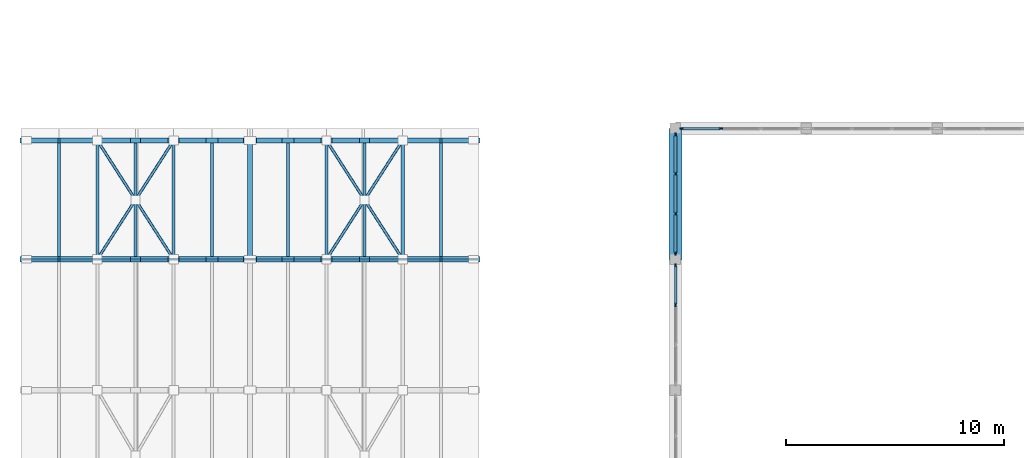
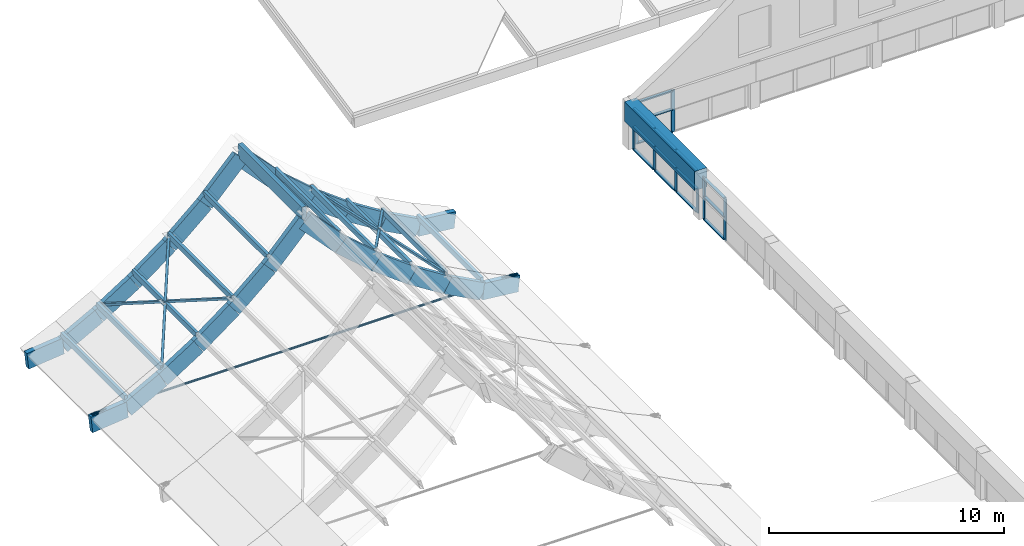
# One storey, part 17 of 45: 64 members, 2 beams, 3 elements without a shape of their own.
"""IFC4 building model written with IfcOpenShell, lengths in metres."""

from ifc_helpers import new_model, si_unit, direction, frame, origin, origin_2d, place, context, subcontext, project, spatial, rectangle, hollow_rectangle, hollow_circle, extrude, material, layer, layer_set, material_profile, profile_set, type_object, element, aggregate, save


model = new_model("IFC4")

# Units and contexts
model_context = context("Model", 3, precision=1e-05, world=origin(), true_north=direction((0.0, 1.0)))
body_context = subcontext(model_context, "Body", "Model", "MODEL_VIEW")
ifc_project = project(units=[si_unit("LENGTHUNIT", "METRE"), si_unit("AREAUNIT", "SQUARE_METRE"), si_unit("VOLUMEUNIT", "CUBIC_METRE"), si_unit("PLANEANGLEUNIT", "RADIAN"), si_unit("MASSUNIT", "GRAM", prefix="KILO")], contexts=[model_context])

# Site, building, storey
site_placement = place(None, origin())
site = spatial("IfcSite", under=ifc_project, at=site_placement, CompositionType="ELEMENT")
building_placement = place(site_placement, origin())
building = spatial("IfcBuilding", under=site, at=building_placement, Name="Solvane Community Centre", CompositionType="ELEMENT")
storey_placement = place(building_placement, frame((0.0, 0.0, 13.800048828125)))
storey = spatial("IfcBuildingStorey", under=building, at=storey_placement, Name="L03", CompositionType="ELEMENT", Elevation=13.800048828125)

# Beam
ifc_material_1 = material(Name="Glulam GL32h", Category="wood")
ifc_material_profile_1 = material_profile(ifc_material_1, rectangle(XDim=0.219970703125, YDim=0.679931640625, at=origin_2d()), Name="GL32h 220x680")
ifc_profile_set_1 = profile_set([ifc_material_profile_1], Name="Glulam GL32h")
beam_type_1 = type_object("IfcBeamType", Name="Glulam Sports Vault Ridge 220x680", PredefinedType="USERDEFINED", material=ifc_profile_set_1)
beam_1_placement = place(storey_placement, frame((16.5, 72.0, 6.96044921875), z_axis=(0.0, 1.0, 0.0), x_axis=(-1.0, 0.0, 0.0)))
element("IfcBeam", 1, at=beam_1_placement, inside=storey, type_object=beam_type_1, Name="Beam BM-L03-165_720-165_774", ObjectType="GIRDER", PredefinedType="USERDEFINED", context=body_context, shape_type="SweptSolid", body=[
    extrude(rectangle(XDim=0.219970703125, YDim=0.679931640625, at=origin_2d()), origin(), (0.0, 0.0, 1.0), 5.449951171875),
])

# Curtain wall, members
ifc_material_2 = material(Name="Anodised bronze aluminium AW-6063 T6", Category="aluminium")
ifc_layer = layer(ifc_material_2, 0.179931640625)
ifc_layer_set = layer_set([ifc_layer], Name="Anodised bronze aluminium AW-6063 T6")
curtain_wall_type = type_object("IfcCurtainWallType", Name="Hall Translucent Upper Curtain Wall [55x22dm]", PredefinedType="NOTDEFINED", material=ifc_layer_set)
curtain_wall_1_placement = place(storey_placement, origin())
curtain_wall_1 = element("IfcCurtainWall", 2, at=curtain_wall_1_placement, inside=storey, type_object=curtain_wall_type, Name="Curtain Wall CW-L03-360_777-129", PredefinedType="NOTDEFINED")
ifc_material_profile_2 = material_profile(ifc_material_2, rectangle(XDim=0.06005859375, YDim=0.179931640625, at=origin_2d()), Name="CW-M 60x180")
ifc_profile_set_2 = profile_set([ifc_material_profile_2], Name="Anodised bronze aluminium AW-6063 T6")
member_type_1 = type_object("IfcMemberType", Name="Hall Mullion 60x180", PredefinedType="MULLION", material=ifc_profile_set_2)
member_1_placement = place(storey_placement, frame((36.0, 77.715087890625, 0.0), z_axis=(0.0, 0.0, 1.0), x_axis=(1.0, 0.0, 0.0)))
member_1 = element("IfcMember", 3, at=member_1_placement, type_object=member_type_1, Name="CW01-55x22 mullion 1", PredefinedType="MULLION", context=body_context, shape_type="SweptSolid", body=[
    extrude(rectangle(XDim=0.06005859375, YDim=0.179931640625, at=origin_2d()), origin(), (0.0, 0.0, 1.0), 2.179931640625),
])
member_2_placement = place(storey_placement, frame((36.0, 75.9150390625, 0.0), z_axis=(0.0, 0.0, 1.0), x_axis=(1.0, 0.0, 0.0)))
member_2 = element("IfcMember", 4, at=member_2_placement, type_object=member_type_1, Name="CW01-55x22 mullion 2", PredefinedType="MULLION", context=body_context, shape_type="SweptSolid", body=[
    extrude(rectangle(XDim=0.06005859375, YDim=0.179931640625, at=origin_2d()), origin(), (0.0, 0.0, 1.0), 2.179931640625),
])
member_3_placement = place(storey_placement, frame((36.0, 74.0849609375, 0.0), z_axis=(0.0, 0.0, 1.0), x_axis=(1.0, 0.0, 0.0)))
member_3 = element("IfcMember", 5, at=member_3_placement, type_object=member_type_1, Name="CW01-55x22 mullion 3", PredefinedType="MULLION", context=body_context, shape_type="SweptSolid", body=[
    extrude(rectangle(XDim=0.06005859375, YDim=0.179931640625, at=origin_2d()), origin(), (0.0, 0.0, 1.0), 2.179931640625),
])
member_4_placement = place(storey_placement, frame((36.0, 72.284912109375, 0.0), z_axis=(0.0, 0.0, 1.0), x_axis=(1.0, 0.0, 0.0)))
member_4 = element("IfcMember", 6, at=member_4_placement, type_object=member_type_1, Name="CW01-55x22 mullion 4", PredefinedType="MULLION", context=body_context, shape_type="SweptSolid", body=[
    extrude(rectangle(XDim=0.06005859375, YDim=0.179931640625, at=origin_2d()), origin(), (0.0, 0.0, 1.0), 2.179931640625),
])

curtain_wall_2_placement = place(storey_placement, origin())
curtain_wall_2 = element("IfcCurtainWall", 7, at=curtain_wall_2_placement, inside=storey, type_object=curtain_wall_type, Name="Curtain Wall CW-L03-360_717-130", PredefinedType="NOTDEFINED")
member_5_placement = place(storey_placement, frame((36.0, 71.715087890625, 0.0), z_axis=(0.0, 0.0, 1.0), x_axis=(1.0, 0.0, 0.0)))
member_5 = element("IfcMember", 8, at=member_5_placement, type_object=member_type_1, Name="CW01-55x22 mullion 1", PredefinedType="MULLION", context=body_context, shape_type="SweptSolid", body=[
    extrude(rectangle(XDim=0.06005859375, YDim=0.179931640625, at=origin_2d()), origin(), (0.0, 0.0, 1.0), 2.179931640625),
])
member_6_placement = place(storey_placement, frame((36.0, 69.9150390625, 0.0), z_axis=(0.0, 0.0, 1.0), x_axis=(1.0, 0.0, 0.0)))
member_6 = element("IfcMember", 9, at=member_6_placement, type_object=member_type_1, Name="CW01-55x22 mullion 2", PredefinedType="MULLION", context=body_context, shape_type="SweptSolid", body=[
    extrude(rectangle(XDim=0.06005859375, YDim=0.179931640625, at=origin_2d()), origin(), (0.0, 0.0, 1.0), 2.179931640625),
])

curtain_wall_3_placement = place(storey_placement, origin())
curtain_wall_3 = element("IfcCurtainWall", 10, at=curtain_wall_3_placement, inside=storey, type_object=curtain_wall_type, Name="Curtain Wall CW-L03-363_780-162", PredefinedType="NOTDEFINED")
member_7_placement = place(storey_placement, frame((36.284912109375, 78.0, 0.0), z_axis=(0.0, 0.0, 1.0), x_axis=(0.0, 1.0, 0.0)))
member_7 = element("IfcMember", 11, at=member_7_placement, type_object=member_type_1, Name="CW01-55x22 mullion 1", PredefinedType="MULLION", context=body_context, shape_type="SweptSolid", body=[
    extrude(rectangle(XDim=0.06005859375, YDim=0.179931640625, at=origin_2d()), origin(), (0.0, 0.0, 1.0), 2.179931640625),
])
member_8_placement = place(storey_placement, frame((38.0849609375, 78.0, 0.0), z_axis=(0.0, 0.0, 1.0), x_axis=(0.0, 1.0, 0.0)))
member_8 = element("IfcMember", 12, at=member_8_placement, type_object=member_type_1, Name="CW01-55x22 mullion 2", PredefinedType="MULLION", context=body_context, shape_type="SweptSolid", body=[
    extrude(rectangle(XDim=0.06005859375, YDim=0.179931640625, at=origin_2d()), origin(), (0.0, 0.0, 1.0), 2.179931640625),
])

# Member
ifc_material_profile_3 = material_profile(ifc_material_2, rectangle(XDim=0.139892578125, YDim=0.06005859375, at=origin_2d()), Name="CW-T 60x140")
ifc_profile_set_3 = profile_set([ifc_material_profile_3], Name="Anodised bronze aluminium AW-6063 T6")
member_type_2 = type_object("IfcMemberType", Name="Hall Transom 60x140", PredefinedType="USERDEFINED", material=ifc_profile_set_3)
member_9_placement = place(storey_placement, frame((36.0, 77.68505859375, 0.030029296875), z_axis=(0.0, -1.0, 0.0), x_axis=(1.0, 0.0, 0.0)))
member_9 = element("IfcMember", 13, at=member_9_placement, type_object=member_type_2, Name="CW01-55x22 transom 1.1", ObjectType="TRANSOM", PredefinedType="USERDEFINED", context=body_context, shape_type="SweptSolid", body=[
    extrude(rectangle(XDim=0.139892578125, YDim=0.06005859375, at=origin_2d()), origin(), (0.0, 0.0, 1.0), 1.739990234375),
])

member_10_placement = place(storey_placement, frame((36.0, 77.68505859375, 1.198974609375), z_axis=(0.0, -1.0, 0.0), x_axis=(1.0, 0.0, 0.0)))
member_10 = element("IfcMember", 14, at=member_10_placement, type_object=member_type_2, Name="CW01-55x22 transom 1.2", ObjectType="TRANSOM", PredefinedType="USERDEFINED", context=body_context, shape_type="SweptSolid", body=[
    extrude(rectangle(XDim=0.139892578125, YDim=0.06005859375, at=origin_2d()), origin(), (0.0, 0.0, 1.0), 1.739990234375),
])

member_11_placement = place(storey_placement, frame((36.0, 77.68505859375, 2.14990234375), z_axis=(0.0, -1.0, 0.0), x_axis=(1.0, 0.0, 0.0)))
member_11 = element("IfcMember", 15, at=member_11_placement, type_object=member_type_2, Name="CW01-55x22 transom 1.3", ObjectType="TRANSOM", PredefinedType="USERDEFINED", context=body_context, shape_type="SweptSolid", body=[
    extrude(rectangle(XDim=0.139892578125, YDim=0.06005859375, at=origin_2d()), origin(), (0.0, 0.0, 1.0), 1.739990234375),
])

member_12_placement = place(storey_placement, frame((36.0, 75.885009765625, 0.030029296875), z_axis=(0.0, -1.0, 0.0), x_axis=(1.0, 0.0, 0.0)))
member_12 = element("IfcMember", 16, at=member_12_placement, type_object=member_type_2, Name="CW01-55x22 transom 2.1", ObjectType="TRANSOM", PredefinedType="USERDEFINED", context=body_context, shape_type="SweptSolid", body=[
    extrude(rectangle(XDim=0.139892578125, YDim=0.06005859375, at=origin_2d()), origin(), (0.0, 0.0, 1.0), 1.77001953125),
])

member_13_placement = place(storey_placement, frame((36.0, 75.885009765625, 1.198974609375), z_axis=(0.0, -1.0, 0.0), x_axis=(1.0, 0.0, 0.0)))
member_13 = element("IfcMember", 17, at=member_13_placement, type_object=member_type_2, Name="CW01-55x22 transom 2.2", ObjectType="TRANSOM", PredefinedType="USERDEFINED", context=body_context, shape_type="SweptSolid", body=[
    extrude(rectangle(XDim=0.139892578125, YDim=0.06005859375, at=origin_2d()), origin(), (0.0, 0.0, 1.0), 1.77001953125),
])

member_14_placement = place(storey_placement, frame((36.0, 75.885009765625, 2.14990234375), z_axis=(0.0, -1.0, 0.0), x_axis=(1.0, 0.0, 0.0)))
member_14 = element("IfcMember", 18, at=member_14_placement, type_object=member_type_2, Name="CW01-55x22 transom 2.3", ObjectType="TRANSOM", PredefinedType="USERDEFINED", context=body_context, shape_type="SweptSolid", body=[
    extrude(rectangle(XDim=0.139892578125, YDim=0.06005859375, at=origin_2d()), origin(), (0.0, 0.0, 1.0), 1.77001953125),
])

member_15_placement = place(storey_placement, frame((36.0, 74.054931640625, 0.030029296875), z_axis=(0.0, -1.0, 0.0), x_axis=(1.0, 0.0, 0.0)))
member_15 = element("IfcMember", 19, at=member_15_placement, type_object=member_type_2, Name="CW01-55x22 transom 3.1", ObjectType="TRANSOM", PredefinedType="USERDEFINED", context=body_context, shape_type="SweptSolid", body=[
    extrude(rectangle(XDim=0.139892578125, YDim=0.06005859375, at=origin_2d()), origin(), (0.0, 0.0, 1.0), 1.739990234375),
])

member_16_placement = place(storey_placement, frame((36.0, 74.054931640625, 1.198974609375), z_axis=(0.0, -1.0, 0.0), x_axis=(1.0, 0.0, 0.0)))
member_16 = element("IfcMember", 20, at=member_16_placement, type_object=member_type_2, Name="CW01-55x22 transom 3.2", ObjectType="TRANSOM", PredefinedType="USERDEFINED", context=body_context, shape_type="SweptSolid", body=[
    extrude(rectangle(XDim=0.139892578125, YDim=0.06005859375, at=origin_2d()), origin(), (0.0, 0.0, 1.0), 1.739990234375),
])

member_17_placement = place(storey_placement, frame((36.0, 74.054931640625, 2.14990234375), z_axis=(0.0, -1.0, 0.0), x_axis=(1.0, 0.0, 0.0)))
member_17 = element("IfcMember", 21, at=member_17_placement, type_object=member_type_2, Name="CW01-55x22 transom 3.3", ObjectType="TRANSOM", PredefinedType="USERDEFINED", context=body_context, shape_type="SweptSolid", body=[
    extrude(rectangle(XDim=0.139892578125, YDim=0.06005859375, at=origin_2d()), origin(), (0.0, 0.0, 1.0), 1.739990234375),
])

aggregate(curtain_wall_1, [member_1, member_2, member_3, member_4, member_9, member_10, member_11, member_12, member_13, member_14, member_15, member_16, member_17])

member_18_placement = place(storey_placement, frame((36.0, 71.68505859375, 0.030029296875), z_axis=(0.0, -1.0, 0.0), x_axis=(1.0, 0.0, 0.0)))
member_18 = element("IfcMember", 22, at=member_18_placement, type_object=member_type_2, Name="CW01-55x22 transom 1.1", ObjectType="TRANSOM", PredefinedType="USERDEFINED", context=body_context, shape_type="SweptSolid", body=[
    extrude(rectangle(XDim=0.139892578125, YDim=0.06005859375, at=origin_2d()), origin(), (0.0, 0.0, 1.0), 1.739990234375),
])

member_19_placement = place(storey_placement, frame((36.0, 71.68505859375, 1.198974609375), z_axis=(0.0, -1.0, 0.0), x_axis=(1.0, 0.0, 0.0)))
member_19 = element("IfcMember", 23, at=member_19_placement, type_object=member_type_2, Name="CW01-55x22 transom 1.2", ObjectType="TRANSOM", PredefinedType="USERDEFINED", context=body_context, shape_type="SweptSolid", body=[
    extrude(rectangle(XDim=0.139892578125, YDim=0.06005859375, at=origin_2d()), origin(), (0.0, 0.0, 1.0), 1.739990234375),
])

member_20_placement = place(storey_placement, frame((36.0, 71.68505859375, 2.14990234375), z_axis=(0.0, -1.0, 0.0), x_axis=(1.0, 0.0, 0.0)))
member_20 = element("IfcMember", 24, at=member_20_placement, type_object=member_type_2, Name="CW01-55x22 transom 1.3", ObjectType="TRANSOM", PredefinedType="USERDEFINED", context=body_context, shape_type="SweptSolid", body=[
    extrude(rectangle(XDim=0.139892578125, YDim=0.06005859375, at=origin_2d()), origin(), (0.0, 0.0, 1.0), 1.739990234375),
])

aggregate(curtain_wall_2, [member_5, member_6, member_18, member_19, member_20])

member_21_placement = place(storey_placement, frame((36.31494140625, 78.0, 0.030029296875), z_axis=(1.0, 0.0, 0.0), x_axis=(0.0, 1.0, 0.0)))
member_21 = element("IfcMember", 25, at=member_21_placement, type_object=member_type_2, Name="CW01-55x22 transom 1.1", ObjectType="TRANSOM", PredefinedType="USERDEFINED", context=body_context, shape_type="SweptSolid", body=[
    extrude(rectangle(XDim=0.139892578125, YDim=0.06005859375, at=origin_2d()), origin(), (0.0, 0.0, 1.0), 1.739990234375),
])

member_22_placement = place(storey_placement, frame((36.31494140625, 78.0, 1.198974609375), z_axis=(1.0, 0.0, 0.0), x_axis=(0.0, 1.0, 0.0)))
member_22 = element("IfcMember", 26, at=member_22_placement, type_object=member_type_2, Name="CW01-55x22 transom 1.2", ObjectType="TRANSOM", PredefinedType="USERDEFINED", context=body_context, shape_type="SweptSolid", body=[
    extrude(rectangle(XDim=0.139892578125, YDim=0.06005859375, at=origin_2d()), origin(), (0.0, 0.0, 1.0), 1.739990234375),
])

member_23_placement = place(storey_placement, frame((36.31494140625, 78.0, 2.14990234375), z_axis=(1.0, 0.0, 0.0), x_axis=(0.0, 1.0, 0.0)))
member_23 = element("IfcMember", 27, at=member_23_placement, type_object=member_type_2, Name="CW01-55x22 transom 1.3", ObjectType="TRANSOM", PredefinedType="USERDEFINED", context=body_context, shape_type="SweptSolid", body=[
    extrude(rectangle(XDim=0.139892578125, YDim=0.06005859375, at=origin_2d()), origin(), (0.0, 0.0, 1.0), 1.739990234375),
])

aggregate(curtain_wall_3, [member_7, member_8, member_21, member_22, member_23])

# Beam
ifc_material_3 = material(Name="Concrete C35/45", Category="concrete")
ifc_material_profile_4 = material_profile(ifc_material_3, rectangle(XDim=0.60009765625, YDim=1.0, at=origin_2d()), Name="RC 600x1000")
ifc_profile_set_4 = profile_set([ifc_material_profile_4], Name="Concrete C35/45")
beam_type_2 = type_object("IfcBeamType", Name="RC Vault Thrust Ring Girder 600x1000", PredefinedType="USERDEFINED", material=ifc_profile_set_4)
beam_2_placement = place(storey_placement, frame((36.0, 72.0, 1.89990234375), z_axis=(0.0, 1.0, 0.0), x_axis=(-1.0, 0.0, 0.0)))
element("IfcBeam", 28, at=beam_2_placement, inside=storey, type_object=beam_type_2, Name="Beam BM-L03-360_720-360_780", ObjectType="GIRDER", PredefinedType="USERDEFINED", context=body_context, shape_type="SweptSolid", body=[
    extrude(rectangle(XDim=0.60009765625, YDim=1.0, at=origin_2d()), origin(), (0.0, 0.0, 1.0), 6.0),
])

# Members
ifc_material_profile_5 = material_profile(ifc_material_1, rectangle(XDim=0.239990234375, YDim=0.840087890625, at=origin_2d()), Name="GL32h 240x840")
ifc_profile_set_5 = profile_set([ifc_material_profile_5], Name="Glulam GL32h")
member_type_3 = type_object("IfcMemberType", Name="Sports Hall Concave Vault Arch Rib 240x840", PredefinedType="USERDEFINED", material=ifc_profile_set_5)
member_24_placement = place(storey_placement, frame((6.0, 72.0, -0.300048828125), z_axis=(0.994382391081, 0.0, 0.105847344363), x_axis=(0.0, 1.0, 0.0)))
element("IfcMember", 29, at=member_24_placement, inside=storey, type_object=member_type_3, Name="Member MEM-L03-0279", ObjectType="ARCH_SEGMENT", PredefinedType="USERDEFINED", context=body_context, shape_type="SweptSolid", body=[
    extrude(rectangle(XDim=0.239990234375, YDim=0.840087890625, at=origin_2d()), origin(), (0.0, 0.0, 1.0), 1.759765625),
])
member_25_placement = place(storey_placement, frame((7.75, 72.0, -0.11376953125), z_axis=(0.881019095166, 0.0, 0.473080705538), x_axis=(0.0, 1.0, 0.0)))
element("IfcMember", 30, at=member_25_placement, inside=storey, type_object=member_type_3, Name="Member MEM-L03-0280", ObjectType="ARCH_SEGMENT", PredefinedType="USERDEFINED", context=body_context, shape_type="SweptSolid", body=[
    extrude(rectangle(XDim=0.239990234375, YDim=0.840087890625, at=origin_2d()), origin(), (0.0, 0.0, 1.0), 1.986328125),
])
member_26_placement = place(storey_placement, frame((9.5, 72.0, 0.825927734375), z_axis=(0.844804868762, 0.0, 0.535074512302), x_axis=(0.0, 1.0, 0.0)))
element("IfcMember", 31, at=member_26_placement, inside=storey, type_object=member_type_3, Name="Member MEM-L03-0281", ObjectType="ARCH_SEGMENT", PredefinedType="USERDEFINED", context=body_context, shape_type="SweptSolid", body=[
    extrude(rectangle(XDim=0.239990234375, YDim=0.840087890625, at=origin_2d()), origin(), (0.0, 0.0, 1.0), 2.071533203125),
])
member_27_placement = place(storey_placement, frame((11.25, 72.0, 1.934326171875), z_axis=(0.802143469144, 0.0, 0.59713135482), x_axis=(0.0, 1.0, 0.0)))
element("IfcMember", 32, at=member_27_placement, inside=storey, type_object=member_type_3, Name="Member MEM-L03-0282", ObjectType="ARCH_SEGMENT", PredefinedType="USERDEFINED", context=body_context, shape_type="SweptSolid", body=[
    extrude(rectangle(XDim=0.239990234375, YDim=0.840087890625, at=origin_2d()), origin(), (0.0, 0.0, 1.0), 2.181640625),
])
member_28_placement = place(storey_placement, frame((13.0, 72.0, 3.237060546875), z_axis=(0.752160526531, 0.0, 0.658979925588), x_axis=(0.0, 1.0, 0.0)))
element("IfcMember", 33, at=member_28_placement, inside=storey, type_object=member_type_3, Name="Member MEM-L03-0283", ObjectType="ARCH_SEGMENT", PredefinedType="USERDEFINED", context=body_context, shape_type="SweptSolid", body=[
    extrude(rectangle(XDim=0.239990234375, YDim=0.840087890625, at=origin_2d()), origin(), (0.0, 0.0, 1.0), 2.32666015625),
])
for number, where, z_axis, x_axis, name in (
    (34, (14.75, 72.0, 4.770263671875), (0.68617646553, 0.0, 0.727435122986), (0.0, 1.0, 0.0), "Member MEM-L03-0284"),
    (35, (16.5, 72.0, 6.62548828125), (0.68617646553, 0.0, -0.727435122986), (0.0, 1.0, 0.0), "Member MEM-L03-0285"),
):
    element("IfcMember", number, at=place(storey_placement, frame(where, z_axis=z_axis, x_axis=x_axis)), inside=storey, type_object=member_type_3, Name=name, ObjectType="ARCH_SEGMENT", PredefinedType="USERDEFINED", context=body_context, shape_type="SweptSolid", body=[
        extrude(rectangle(XDim=0.239990234375, YDim=0.840087890625, at=origin_2d()), origin(), (0.0, 0.0, 1.0), 2.55029296875),
    ])
member_29_placement = place(storey_placement, frame((18.25, 72.0, 4.770263671875), z_axis=(0.752160526531, 0.0, -0.658979925588), x_axis=(0.0, 1.0, 0.0)))
element("IfcMember", 36, at=member_29_placement, inside=storey, type_object=member_type_3, Name="Member MEM-L03-0286", ObjectType="ARCH_SEGMENT", PredefinedType="USERDEFINED", context=body_context, shape_type="SweptSolid", body=[
    extrude(rectangle(XDim=0.239990234375, YDim=0.840087890625, at=origin_2d()), origin(), (0.0, 0.0, 1.0), 2.32666015625),
])
member_30_placement = place(storey_placement, frame((20.0, 72.0, 3.237060546875), z_axis=(0.802143469144, 0.0, -0.59713135482), x_axis=(0.0, 1.0, 0.0)))
element("IfcMember", 37, at=member_30_placement, inside=storey, type_object=member_type_3, Name="Member MEM-L03-0287", ObjectType="ARCH_SEGMENT", PredefinedType="USERDEFINED", context=body_context, shape_type="SweptSolid", body=[
    extrude(rectangle(XDim=0.239990234375, YDim=0.840087890625, at=origin_2d()), origin(), (0.0, 0.0, 1.0), 2.181640625),
])
member_31_placement = place(storey_placement, frame((21.75, 72.0, 1.934326171875), z_axis=(0.844804868762, 0.0, -0.535074512302), x_axis=(0.0, 1.0, 0.0)))
element("IfcMember", 38, at=member_31_placement, inside=storey, type_object=member_type_3, Name="Member MEM-L03-0288", ObjectType="ARCH_SEGMENT", PredefinedType="USERDEFINED", context=body_context, shape_type="SweptSolid", body=[
    extrude(rectangle(XDim=0.239990234375, YDim=0.840087890625, at=origin_2d()), origin(), (0.0, 0.0, 1.0), 2.071533203125),
])
member_32_placement = place(storey_placement, frame((23.5, 72.0, 0.825927734375), z_axis=(0.881019095166, 0.0, -0.473080705538), x_axis=(0.0, 1.0, 0.0)))
element("IfcMember", 39, at=member_32_placement, inside=storey, type_object=member_type_3, Name="Member MEM-L03-0289", ObjectType="ARCH_SEGMENT", PredefinedType="USERDEFINED", context=body_context, shape_type="SweptSolid", body=[
    extrude(rectangle(XDim=0.239990234375, YDim=0.840087890625, at=origin_2d()), origin(), (0.0, 0.0, 1.0), 1.986328125),
])
for number, where, z_axis, x_axis, name in (
    (40, (25.25, 72.0, -0.11376953125), (0.994382391081, 0.0, -0.105847344363), (0.0, 1.0, 0.0), "Member MEM-L03-0290"),
    (41, (6.0, 77.449951171875, -0.300048828125), (0.994382391081, 0.0, 0.105847344363), (0.0, 1.0, 0.0), "Member MEM-L03-0292"),
):
    element("IfcMember", number, at=place(storey_placement, frame(where, z_axis=z_axis, x_axis=x_axis)), inside=storey, type_object=member_type_3, Name=name, ObjectType="ARCH_SEGMENT", PredefinedType="USERDEFINED", context=body_context, shape_type="SweptSolid", body=[
        extrude(rectangle(XDim=0.239990234375, YDim=0.840087890625, at=origin_2d()), origin(), (0.0, 0.0, 1.0), 1.759765625),
    ])
member_33_placement = place(storey_placement, frame((7.75, 77.449951171875, -0.11376953125), z_axis=(0.881019095166, 0.0, 0.473080705538), x_axis=(0.0, 1.0, 0.0)))
element("IfcMember", 42, at=member_33_placement, inside=storey, type_object=member_type_3, Name="Member MEM-L03-0293", ObjectType="ARCH_SEGMENT", PredefinedType="USERDEFINED", context=body_context, shape_type="SweptSolid", body=[
    extrude(rectangle(XDim=0.239990234375, YDim=0.840087890625, at=origin_2d()), origin(), (0.0, 0.0, 1.0), 1.986328125),
])
member_34_placement = place(storey_placement, frame((9.5, 77.449951171875, 0.825927734375), z_axis=(0.844804868762, 0.0, 0.535074512302), x_axis=(0.0, 1.0, 0.0)))
element("IfcMember", 43, at=member_34_placement, inside=storey, type_object=member_type_3, Name="Member MEM-L03-0294", ObjectType="ARCH_SEGMENT", PredefinedType="USERDEFINED", context=body_context, shape_type="SweptSolid", body=[
    extrude(rectangle(XDim=0.239990234375, YDim=0.840087890625, at=origin_2d()), origin(), (0.0, 0.0, 1.0), 2.071533203125),
])
member_35_placement = place(storey_placement, frame((11.25, 77.449951171875, 1.934326171875), z_axis=(0.802143469144, 0.0, 0.59713135482), x_axis=(0.0, 1.0, 0.0)))
element("IfcMember", 44, at=member_35_placement, inside=storey, type_object=member_type_3, Name="Member MEM-L03-0295", ObjectType="ARCH_SEGMENT", PredefinedType="USERDEFINED", context=body_context, shape_type="SweptSolid", body=[
    extrude(rectangle(XDim=0.239990234375, YDim=0.840087890625, at=origin_2d()), origin(), (0.0, 0.0, 1.0), 2.181640625),
])
member_36_placement = place(storey_placement, frame((13.0, 77.449951171875, 3.237060546875), z_axis=(0.752160526531, 0.0, 0.658979925588), x_axis=(0.0, 1.0, 0.0)))
element("IfcMember", 45, at=member_36_placement, inside=storey, type_object=member_type_3, Name="Member MEM-L03-0296", ObjectType="ARCH_SEGMENT", PredefinedType="USERDEFINED", context=body_context, shape_type="SweptSolid", body=[
    extrude(rectangle(XDim=0.239990234375, YDim=0.840087890625, at=origin_2d()), origin(), (0.0, 0.0, 1.0), 2.32666015625),
])
for number, where, z_axis, x_axis, name in (
    (46, (14.75, 77.449951171875, 4.770263671875), (0.68617646553, 0.0, 0.727435122986), (0.0, 1.0, 0.0), "Member MEM-L03-0297"),
    (47, (16.5, 77.449951171875, 6.62548828125), (0.68617646553, 0.0, -0.727435122986), (0.0, 1.0, 0.0), "Member MEM-L03-0298"),
):
    element("IfcMember", number, at=place(storey_placement, frame(where, z_axis=z_axis, x_axis=x_axis)), inside=storey, type_object=member_type_3, Name=name, ObjectType="ARCH_SEGMENT", PredefinedType="USERDEFINED", context=body_context, shape_type="SweptSolid", body=[
        extrude(rectangle(XDim=0.239990234375, YDim=0.840087890625, at=origin_2d()), origin(), (0.0, 0.0, 1.0), 2.55029296875),
    ])
member_37_placement = place(storey_placement, frame((18.25, 77.449951171875, 4.770263671875), z_axis=(0.752160526531, 0.0, -0.658979925588), x_axis=(0.0, 1.0, 0.0)))
element("IfcMember", 48, at=member_37_placement, inside=storey, type_object=member_type_3, Name="Member MEM-L03-0299", ObjectType="ARCH_SEGMENT", PredefinedType="USERDEFINED", context=body_context, shape_type="SweptSolid", body=[
    extrude(rectangle(XDim=0.239990234375, YDim=0.840087890625, at=origin_2d()), origin(), (0.0, 0.0, 1.0), 2.32666015625),
])
member_38_placement = place(storey_placement, frame((20.0, 77.449951171875, 3.237060546875), z_axis=(0.802143469144, 0.0, -0.59713135482), x_axis=(0.0, 1.0, 0.0)))
element("IfcMember", 49, at=member_38_placement, inside=storey, type_object=member_type_3, Name="Member MEM-L03-0300", ObjectType="ARCH_SEGMENT", PredefinedType="USERDEFINED", context=body_context, shape_type="SweptSolid", body=[
    extrude(rectangle(XDim=0.239990234375, YDim=0.840087890625, at=origin_2d()), origin(), (0.0, 0.0, 1.0), 2.181640625),
])
member_39_placement = place(storey_placement, frame((21.75, 77.449951171875, 1.934326171875), z_axis=(0.844804868762, 0.0, -0.535074512302), x_axis=(0.0, 1.0, 0.0)))
element("IfcMember", 50, at=member_39_placement, inside=storey, type_object=member_type_3, Name="Member MEM-L03-0301", ObjectType="ARCH_SEGMENT", PredefinedType="USERDEFINED", context=body_context, shape_type="SweptSolid", body=[
    extrude(rectangle(XDim=0.239990234375, YDim=0.840087890625, at=origin_2d()), origin(), (0.0, 0.0, 1.0), 2.071533203125),
])
member_40_placement = place(storey_placement, frame((23.5, 77.449951171875, 0.825927734375), z_axis=(0.881019095166, 0.0, -0.473080705538), x_axis=(0.0, 1.0, 0.0)))
element("IfcMember", 51, at=member_40_placement, inside=storey, type_object=member_type_3, Name="Member MEM-L03-0302", ObjectType="ARCH_SEGMENT", PredefinedType="USERDEFINED", context=body_context, shape_type="SweptSolid", body=[
    extrude(rectangle(XDim=0.239990234375, YDim=0.840087890625, at=origin_2d()), origin(), (0.0, 0.0, 1.0), 1.986328125),
])
member_41_placement = place(storey_placement, frame((25.25, 77.449951171875, -0.11376953125), z_axis=(0.994382391081, 0.0, -0.105847344363), x_axis=(0.0, 1.0, 0.0)))
element("IfcMember", 52, at=member_41_placement, inside=storey, type_object=member_type_3, Name="Member MEM-L03-0303", ObjectType="ARCH_SEGMENT", PredefinedType="USERDEFINED", context=body_context, shape_type="SweptSolid", body=[
    extrude(rectangle(XDim=0.239990234375, YDim=0.840087890625, at=origin_2d()), origin(), (0.0, 0.0, 1.0), 1.759765625),
])
ifc_material_4 = material(Name="Glulam GL28h", Category="wood")
ifc_material_profile_6 = material_profile(ifc_material_4, rectangle(XDim=0.139892578125, YDim=0.280029296875, at=origin_2d()), Name="GL28h 140x280")
ifc_profile_set_6 = profile_set([ifc_material_profile_6], Name="Glulam GL28h")
member_type_4 = type_object("IfcMemberType", Name="Sports Hall Vault Purlin 140x280", PredefinedType="PURLIN", material=ifc_profile_set_6)
for number, where, z_axis, x_axis, name in (
    (53, (7.75, 72.0, 0.421142578125), (0.0, 1.0, 0.0), (-1.0, 0.0, 0.0), "Member MEM-L03-0362"),
    (54, (9.5, 72.0, 1.36083984375), (0.0, 1.0, 0.0), (-1.0, 0.0, 0.0), "Member MEM-L03-0363"),
    (55, (11.25, 72.0, 2.46923828125), (0.0, 1.0, 0.0), (-1.0, 0.0, 0.0), "Member MEM-L03-0364"),
    (56, (13.0, 72.0, 3.77197265625), (0.0, 1.0, 0.0), (-1.0, 0.0, 0.0), "Member MEM-L03-0365"),
    (57, (14.75, 72.0, 5.305419921875), (0.0, 1.0, 0.0), (-1.0, 0.0, 0.0), "Member MEM-L03-0366"),
    (58, (18.25, 72.0, 5.305419921875), (0.0, 1.0, 0.0), (-1.0, 0.0, 0.0), "Member MEM-L03-0367"),
    (59, (20.0, 72.0, 3.77197265625), (0.0, 1.0, 0.0), (-1.0, 0.0, 0.0), "Member MEM-L03-0368"),
    (60, (21.75, 72.0, 2.46923828125), (0.0, 1.0, 0.0), (-1.0, 0.0, 0.0), "Member MEM-L03-0369"),
    (61, (23.5, 72.0, 1.36083984375), (0.0, 1.0, 0.0), (-1.0, 0.0, 0.0), "Member MEM-L03-0370"),
    (62, (25.25, 72.0, 0.421142578125), (0.0, 1.0, 0.0), (-1.0, 0.0, 0.0), "Member MEM-L03-0371"),
):
    element("IfcMember", number, at=place(storey_placement, frame(where, z_axis=z_axis, x_axis=x_axis)), inside=storey, type_object=member_type_4, Name=name, PredefinedType="PURLIN", context=body_context, shape_type="SweptSolid", body=[
        extrude(rectangle(XDim=0.139892578125, YDim=0.280029296875, at=origin_2d()), origin(), (0.0, 0.0, 1.0), 5.449951171875),
    ])
ifc_material_5 = material(Name="Steel ASTM A572 Grade 50", Category="steel")
ifc_material_profile_7 = material_profile(ifc_material_5, hollow_circle(Radius=0.05712890625, WallThickness=0.008056640625, at=origin_2d()), Name="CHS 114.3x8.0")
ifc_profile_set_7 = profile_set([ifc_material_profile_7], Name="Steel ASTM A572 Grade 50")
member_type_5 = type_object("IfcMemberType", Name="Sports Vault Tension Tie Rod CHS114", PredefinedType="CHORD", material=ifc_profile_set_7)
member_42_placement = place(storey_placement, frame((6.0400390625, 72.0, 0.14990234375), z_axis=(1.0, 0.0, 0.0), x_axis=(0.0, 1.0, 0.0)))
element("IfcMember", 63, at=member_42_placement, inside=storey, type_object=member_type_5, Name="Member MEM-L03-0291", PredefinedType="CHORD", context=body_context, shape_type="SweptSolid", body=[
    extrude(hollow_circle(Radius=0.05712890625, WallThickness=0.008056640625, at=origin_2d()), origin(), (0.0, 0.0, 1.0), 20.919921875),
])
ifc_material_profile_8 = material_profile(ifc_material_5, hollow_rectangle(XDim=0.126953125, YDim=0.126953125, WallThickness=0.008056640625, InnerFilletRadius=0.008056640625, OuterFilletRadius=0.01611328125, at=origin_2d()), Name="HSS 127x127x8.0")
ifc_profile_set_8 = profile_set([ifc_material_profile_8], Name="Steel ASTM A572 Grade 50")
member_type_6 = type_object("IfcMemberType", Name="Sports Vault Wind X-Brace HSS127", PredefinedType="BRACE", material=ifc_profile_set_8)
member_43_placement = place(storey_placement, frame((9.5, 72.0, 1.36083984375), z_axis=(0.506419881672, 0.788561036452, 0.348870169601), x_axis=(-0.841426998806, 0.540370803874, 0.0)))
element("IfcMember", 64, at=member_43_placement, inside=storey, type_object=member_type_6, Name="Member MEM-L03-0372", PredefinedType="BRACE", context=body_context, shape_type="SweptSolid", body=[
    extrude(hollow_rectangle(XDim=0.126953125, YDim=0.126953125, WallThickness=0.008056640625, InnerFilletRadius=0.008056640625, OuterFilletRadius=0.01611328125, at=origin_2d()), origin(), (0.0, 0.0, 1.0), 6.911376953125),
])
for number, where, z_axis, x_axis, name in (
    (65, (13.0, 72.0, 3.77197265625), (-0.506415804603, 0.78855348723, -0.348893150729), (-0.841426624693, -0.540371386417, 0.0), "Member MEM-L03-0373"),
    (66, (11.20947265625, 74.7880859375, 2.53857421875), (-0.506415804603, 0.78855348723, -0.348893150729), (-0.841426624693, -0.540371386417, 0.0), "Member MEM-XBR-L03-0011"),
):
    element("IfcMember", number, at=place(storey_placement, frame(where, z_axis=z_axis, x_axis=x_axis)), inside=storey, type_object=member_type_6, Name=name, PredefinedType="BRACE", context=body_context, shape_type="SweptSolid", body=[
        extrude(hollow_rectangle(XDim=0.126953125, YDim=0.126953125, WallThickness=0.008056640625, InnerFilletRadius=0.008056640625, OuterFilletRadius=0.01611328125, at=origin_2d()), origin(), (0.0, 0.0, 1.0), 3.375732421875),
    ])
member_44_placement = place(storey_placement, frame((20.0, 72.0, 3.77197265625), z_axis=(0.506419881672, 0.788561036452, -0.348870169601), x_axis=(-0.841426998806, 0.540370803874, 0.0)))
element("IfcMember", 67, at=member_44_placement, inside=storey, type_object=member_type_6, Name="Member MEM-L03-0374", PredefinedType="BRACE", context=body_context, shape_type="SweptSolid", body=[
    extrude(hollow_rectangle(XDim=0.126953125, YDim=0.126953125, WallThickness=0.008056640625, InnerFilletRadius=0.008056640625, OuterFilletRadius=0.01611328125, at=origin_2d()), origin(), (0.0, 0.0, 1.0), 6.911376953125),
])
for number, where, z_axis, x_axis, name in (
    (68, (23.5, 72.0, 1.36083984375), (-0.506415804603, 0.78855348723, 0.348893150729), (-0.841426624693, -0.540371386417, 0.0), "Member MEM-L03-0375"),
    (69, (21.70947265625, 74.7880859375, 2.59423828125), (-0.506415804603, 0.78855348723, 0.348893150729), (-0.841426624693, -0.540371386417, 0.0), "Member MEM-XBR-L03-0012"),
):
    element("IfcMember", number, at=place(storey_placement, frame(where, z_axis=z_axis, x_axis=x_axis)), inside=storey, type_object=member_type_6, Name=name, PredefinedType="BRACE", context=body_context, shape_type="SweptSolid", body=[
        extrude(hollow_rectangle(XDim=0.126953125, YDim=0.126953125, WallThickness=0.008056640625, InnerFilletRadius=0.008056640625, OuterFilletRadius=0.01611328125, at=origin_2d()), origin(), (0.0, 0.0, 1.0), 3.375732421875),
    ])

save(model, "model.ifc")
